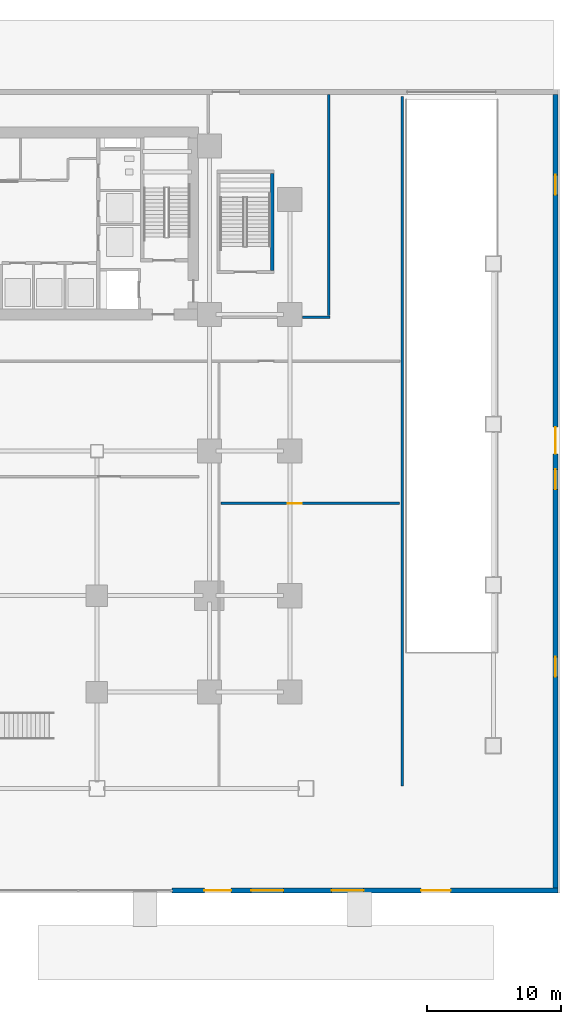
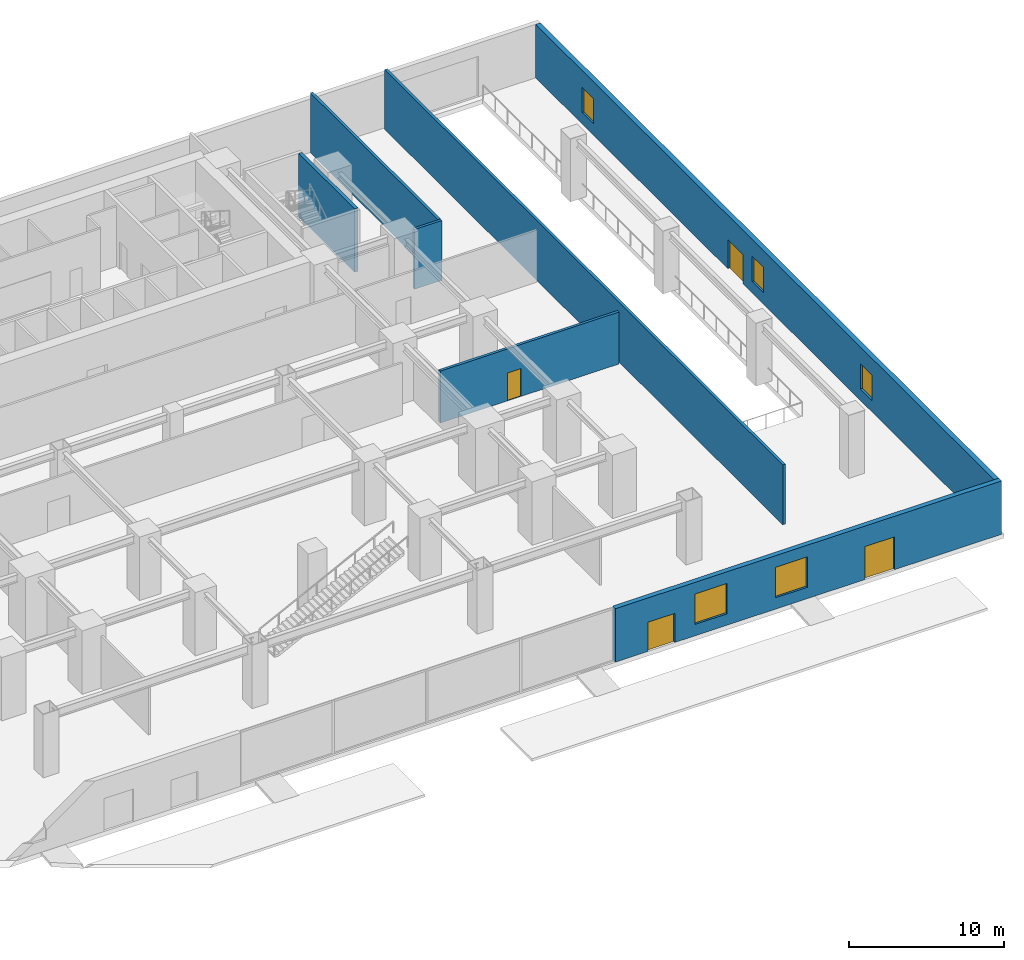
# One storey, part 11 of 18: 7 walls, 5 windows, 4 doors, 9 openings.
"""IFC4 building model written with IfcOpenShell, lengths in metres."""

from ifc_helpers import new_model, si_unit, direction, frame, frame_2d, origin, place, context, subcontext, project, spatial, rectangle, extrude, source, transform, mapped, material, layer, layer_set, type_object, element, fill, save


model = new_model("IFC4")

# Units and contexts
model_context = context("Model", 3, precision=1e-05, world=origin(), true_north=direction((0.0, 1.0)))
body_context = subcontext(model_context, "Body", "Model", "MODEL_VIEW")
ifc_project = project(units=[si_unit("LENGTHUNIT", "METRE"), si_unit("AREAUNIT", "SQUARE_METRE"), si_unit("VOLUMEUNIT", "CUBIC_METRE"), si_unit("PLANEANGLEUNIT", "RADIAN"), si_unit("MASSUNIT", "GRAM", prefix="KILO")], contexts=[model_context])

# Site, building, storey
site_placement = place(None, origin())
site = spatial("IfcSite", under=ifc_project, at=site_placement, CompositionType="ELEMENT")
building_placement = place(site_placement, origin())
building = spatial("IfcBuilding", under=site, at=building_placement, Name="Sumidabori Civic Tower", CompositionType="ELEMENT")
storey_placement = place(building_placement, origin())
storey = spatial("IfcBuildingStorey", under=building, at=storey_placement, Name="L00", CompositionType="ELEMENT", Elevation=0.0)

# Wall
ifc_material_1 = material(Name="Concrete C50/60", Category="concrete")
ifc_layer_1 = layer(ifc_material_1, 0.25, Name="Concrete C50/60")
ifc_layer_set_1 = layer_set([ifc_layer_1], Name="Concrete C50/60")
wall_type_1 = type_object("IfcWallType", Name="WL-SHAFT-250", PredefinedType="SHEAR", material=ifc_layer_set_1)
shared_shape_1 = source(origin(), body_context, "Body", "SweptSolid", [
    extrude(rectangle(XDim=7.230224609375, YDim=0.25, at=frame_2d((3.615234375, 0.0))), origin(), (0.0, 0.0, 1.0), 5.0),
])
wall_1_placement = place(storey_placement, frame((21.485107421875, 13.5048828125, 0.0), z_axis=(0.0, 0.0, 1.0), x_axis=(0.0, 1.0, 0.0)))
element("IfcWall", 1, at=wall_1_placement, inside=storey, type_object=wall_type_1, Name="Core Shear Wall L00 ST4-E", PredefinedType="SHEAR", context=body_context, shape_type="MappedRepresentation", body=[
    mapped(shared_shape_1, transform((0.0, 0.0, 0.0), x_axis=(1.0, 0.0, 0.0), y_axis=(0.0, 1.0, 0.0), z_axis=(0.0, 0.0, 1.0), scale=1.0)),
])

# Wall, openings, doors, windows
ifc_material_2 = material(Name="Precast concrete C40/50", Category="concrete")
ifc_layer_2 = layer(ifc_material_2, 0.360107421875, Name="Precast concrete C40/50")
ifc_layer_set_2 = layer_set([ifc_layer_2], Name="Precast concrete C40/50")
wall_type_2 = type_object("IfcWallType", Name="WL-EXT-POD360", PredefinedType="STANDARD", material=ifc_layer_set_2)
shared_shape_2 = source(origin(), body_context, "Body", "SweptSolid", [
    extrude(rectangle(XDim=28.820068359375, YDim=0.360107421875, at=frame_2d((14.41015625, 0.0))), origin(), (0.0, 0.0, 1.0), 4.219970703125),
])
wall_2_placement = place(storey_placement, frame((42.820068359375, -32.820068359375, 0.0), z_axis=(0.0, 0.0, 1.0), x_axis=(-1.0, 0.0, 0.0)))
wall_2 = element("IfcWall", 2, at=wall_2_placement, inside=storey, type_object=wall_type_2, Name="Podium South-East Precast Wall", PredefinedType="STANDARD", context=body_context, shape_type="MappedRepresentation", body=[
    mapped(shared_shape_2, transform((0.0, 0.0, 0.0), x_axis=(1.0, 0.0, 0.0), y_axis=(0.0, 1.0, 0.0), z_axis=(0.0, 0.0, 1.0), scale=1.0)),
])
opening_1_placement = place(wall_2_placement, frame((8.0, 0.0, 0.0)))
opening_1 = element("IfcOpeningElement", 3, at=opening_1_placement, cuts=wall_2, Name="Opening EX-1", PredefinedType="OPENING", context=body_context, shape_type="SweptSolid", body=[
    extrude(rectangle(XDim=2.199951171875, YDim=2.60009765625, at=frame_2d((1.10009765625, 1.300048828125))), frame((0.0, 0.19189453125, 0.0), z_axis=(0.0, -1.0, 0.0), x_axis=(1.0, 0.0, 0.0)), (0.0, 0.0, 1.0), 0.384033203125),
])
opening_2_placement = place(wall_2_placement, frame((24.39990234375, 0.0, 0.0)))
opening_2 = element("IfcOpeningElement", 4, at=opening_2_placement, cuts=wall_2, Name="Opening EX-2", PredefinedType="OPENING", context=body_context, shape_type="SweptSolid", body=[
    extrude(rectangle(XDim=2.0, YDim=2.300048828125, at=frame_2d((1.0, 1.14990234375))), frame((0.0, 0.19189453125, 0.0), z_axis=(0.0, -1.0, 0.0), x_axis=(1.0, 0.0, 0.0)), (0.0, 0.0, 1.0), 0.384033203125),
])
opening_3_placement = place(wall_2_placement, frame((14.5, 0.0, 0.89990234375)))
opening_3 = element("IfcOpeningElement", 5, at=opening_3_placement, cuts=wall_2, Name="Opening WN-1", PredefinedType="OPENING", context=body_context, shape_type="SweptSolid", body=[
    extrude(rectangle(XDim=2.39990234375, YDim=2.39990234375, at=frame_2d((1.199951171875, 1.199951171875))), frame((0.0, 0.19189453125, 0.0), z_axis=(0.0, -1.0, 0.0), x_axis=(1.0, 0.0, 0.0)), (0.0, 0.0, 1.0), 0.384033203125),
])
opening_4_placement = place(wall_2_placement, frame((20.5, 0.0, 0.89990234375)))
opening_4 = element("IfcOpeningElement", 6, at=opening_4_placement, cuts=wall_2, Name="Opening WN-1", PredefinedType="OPENING", context=body_context, shape_type="SweptSolid", body=[
    extrude(rectangle(XDim=2.39990234375, YDim=2.39990234375, at=frame_2d((1.199951171875, 1.199951171875))), frame((0.0, 0.19189453125, 0.0), z_axis=(0.0, -1.0, 0.0), x_axis=(1.0, 0.0, 0.0)), (0.0, 0.0, 1.0), 0.384033203125),
])
ifc_material_3 = material(Name="Anodised Bronze Aluminium AW-6063-T6", Category="aluminium")
door_type_1 = type_object("IfcDoorType", Name="DR-EXT-MAIN", OperationType="DOUBLE_DOOR_SINGLE_SWING", PredefinedType="DOOR", material=ifc_material_3)
shared_shape_3 = source(origin(), body_context, "Body", "SweptSolid", [
    extrude(rectangle(XDim=2.199951171875, YDim=2.60009765625, at=frame_2d((1.10009765625, 1.300048828125))), frame((0.0, 0.02490234375, 0.0), z_axis=(0.0, -1.0, 0.0), x_axis=(1.0, 0.0, 0.0)), (0.0, 0.0, 1.0), 0.050048828125),
])
door_1_placement = place(opening_1_placement, origin())
door_1 = element("IfcDoor", 7, at=door_1_placement, inside=storey, type_object=door_type_1, Name="Main Entrance East EX-1", OperationType="DOUBLE_DOOR_SINGLE_SWING", OverallHeight=2.60009765625, OverallWidth=2.199951171875, PredefinedType="DOOR", context=body_context, shape_type="MappedRepresentation", body=[
    mapped(shared_shape_3, transform((0.0, 0.0, 0.0), x_axis=(1.0, 0.0, 0.0), y_axis=(0.0, 1.0, 0.0), z_axis=(0.0, 0.0, 1.0), scale=1.0)),
])
fill(opening_1, door_1)
door_type_2 = type_object("IfcDoorType", Name="DR-EXT-EXIT", OperationType="DOUBLE_DOOR_SINGLE_SWING", PredefinedType="DOOR", material=ifc_material_3)
shared_shape_4 = source(origin(), body_context, "Body", "SweptSolid", [
    extrude(rectangle(XDim=2.0, YDim=2.300048828125, at=frame_2d((1.0, 1.14990234375))), frame((0.0, 0.02490234375, 0.0), z_axis=(0.0, -1.0, 0.0), x_axis=(1.0, 0.0, 0.0)), (0.0, 0.0, 1.0), 0.050048828125),
])
door_2_placement = place(opening_2_placement, origin())
door_2 = element("IfcDoor", 8, at=door_2_placement, inside=storey, type_object=door_type_2, Name="Civic Forecourt Exit East EX-2", OperationType="DOUBLE_DOOR_SINGLE_SWING", OverallHeight=2.300048828125, OverallWidth=2.0, PredefinedType="DOOR", context=body_context, shape_type="MappedRepresentation", body=[
    mapped(shared_shape_4, transform((0.0, 0.0, 0.0), x_axis=(1.0, 0.0, 0.0), y_axis=(0.0, 1.0, 0.0), z_axis=(0.0, 0.0, 1.0), scale=1.0)),
])
fill(opening_2, door_2)
ifc_material_4 = material(Name="Low-E Vision Double Glazing", Category="glass")
window_type_1 = type_object("IfcWindowType", Name="WN-POD-2400", PartitioningType="SINGLE_PANEL", PredefinedType="WINDOW", material=ifc_material_4)
shared_shape_5 = source(origin(), body_context, "Body", "SweptSolid", [
    extrude(rectangle(XDim=2.39990234375, YDim=2.39990234375, at=frame_2d((1.199951171875, 1.199951171875))), frame((0.0, 0.030029296875, 0.0), z_axis=(0.0, -1.0, 0.0), x_axis=(1.0, 0.0, 0.0)), (0.0, 0.0, 1.0), 0.06005859375),
])
window_1_placement = place(opening_3_placement, origin())
window_1 = element("IfcWindow", 9, at=window_1_placement, inside=storey, type_object=window_type_1, Name="Podium Window L00-SE1", OverallHeight=2.39990234375, OverallWidth=2.39990234375, PartitioningType="SINGLE_PANEL", PredefinedType="WINDOW", context=body_context, shape_type="MappedRepresentation", body=[
    mapped(shared_shape_5, transform((0.0, 0.0, 0.0), x_axis=(1.0, 0.0, 0.0), y_axis=(0.0, 1.0, 0.0), z_axis=(0.0, 0.0, 1.0), scale=1.0)),
])
fill(opening_3, window_1)
window_2_placement = place(opening_4_placement, origin())
window_2 = element("IfcWindow", 10, at=window_2_placement, inside=storey, type_object=window_type_1, Name="Podium Window L00-SE2", OverallHeight=2.39990234375, OverallWidth=2.39990234375, PartitioningType="SINGLE_PANEL", PredefinedType="WINDOW", context=body_context, shape_type="MappedRepresentation", body=[
    mapped(shared_shape_5, transform((0.0, 0.0, 0.0), x_axis=(1.0, 0.0, 0.0), y_axis=(0.0, 1.0, 0.0), z_axis=(0.0, 0.0, 1.0), scale=1.0)),
])
fill(opening_4, window_2)

# Wall, openings, door, windows
shared_shape_6 = source(origin(), body_context, "Body", "SweptSolid", [
    extrude(rectangle(XDim=59.27978515625, YDim=0.360107421875, at=frame_2d((29.639892578125, 0.0))), origin(), (0.0, 0.0, 1.0), 4.219970703125),
])
wall_3_placement = place(storey_placement, frame((42.639892578125, 26.639892578125, 0.0), z_axis=(0.0, 0.0, 1.0), x_axis=(0.0, -1.0, 0.0)))
wall_3 = element("IfcWall", 11, at=wall_3_placement, inside=storey, type_object=wall_type_2, Name="Podium East Precast Wall", PredefinedType="STANDARD", context=body_context, shape_type="MappedRepresentation", body=[
    mapped(shared_shape_6, transform((0.0, 0.0, 0.0), x_axis=(1.0, 0.0, 0.0), y_axis=(0.0, 1.0, 0.0), z_axis=(0.0, 0.0, 1.0), scale=1.0)),
])
opening_5_placement = place(wall_3_placement, frame((24.85009765625, 0.0, 0.0)))
opening_5 = element("IfcOpeningElement", 12, at=opening_5_placement, cuts=wall_3, Name="Opening EX-2", PredefinedType="OPENING", context=body_context, shape_type="SweptSolid", body=[
    extrude(rectangle(XDim=2.0, YDim=2.300048828125, at=frame_2d((1.0, 1.14990234375))), frame((0.0, 0.19189453125, 0.0), z_axis=(0.0, -1.0, 0.0), x_axis=(1.0, 0.0, 0.0)), (0.0, 0.0, 1.0), 0.384033203125),
])
opening_6_placement = place(wall_3_placement, frame((6.0, 0.0, 0.89990234375)))
opening_6 = element("IfcOpeningElement", 13, at=opening_6_placement, cuts=wall_3, Name="Opening WN-3", PredefinedType="OPENING", context=body_context, shape_type="SweptSolid", body=[
    extrude(rectangle(XDim=1.5, YDim=2.0, at=frame_2d((0.75, 1.0))), frame((0.0, 0.19189453125, 0.0), z_axis=(0.0, -1.0, 0.0), x_axis=(1.0, 0.0, 0.0)), (0.0, 0.0, 1.0), 0.384033203125),
])
opening_7_placement = place(wall_3_placement, frame((28.0, 0.0, 0.89990234375)))
opening_7 = element("IfcOpeningElement", 14, at=opening_7_placement, cuts=wall_3, Name="Opening WN-3", PredefinedType="OPENING", context=body_context, shape_type="SweptSolid", body=[
    extrude(rectangle(XDim=1.5, YDim=2.0, at=frame_2d((0.75, 1.0))), frame((0.0, 0.19189453125, 0.0), z_axis=(0.0, -1.0, 0.0), x_axis=(1.0, 0.0, 0.0)), (0.0, 0.0, 1.0), 0.384033203125),
])
opening_8_placement = place(wall_3_placement, frame((42.0, 0.0, 0.89990234375)))
opening_8 = element("IfcOpeningElement", 15, at=opening_8_placement, cuts=wall_3, Name="Opening WN-3", PredefinedType="OPENING", context=body_context, shape_type="SweptSolid", body=[
    extrude(rectangle(XDim=1.5, YDim=2.0, at=frame_2d((0.75, 1.0))), frame((0.0, 0.19189453125, 0.0), z_axis=(0.0, -1.0, 0.0), x_axis=(1.0, 0.0, 0.0)), (0.0, 0.0, 1.0), 0.384033203125),
])
door_3_placement = place(opening_5_placement, origin())
door_3 = element("IfcDoor", 16, at=door_3_placement, inside=storey, type_object=door_type_2, Name="Fire Command Room Pedestrian Entrance EX-2", OperationType="DOUBLE_DOOR_SINGLE_SWING", OverallHeight=2.300048828125, OverallWidth=2.0, PredefinedType="DOOR", context=body_context, shape_type="MappedRepresentation", body=[
    mapped(shared_shape_4, transform((0.0, 0.0, 0.0), x_axis=(1.0, 0.0, 0.0), y_axis=(0.0, 1.0, 0.0), z_axis=(0.0, 0.0, 1.0), scale=1.0)),
])
fill(opening_5, door_3)
window_type_2 = type_object("IfcWindowType", Name="WN-POD-1500", PartitioningType="SINGLE_PANEL", PredefinedType="WINDOW", material=ifc_material_4)
shared_shape_7 = source(origin(), body_context, "Body", "SweptSolid", [
    extrude(rectangle(XDim=1.5, YDim=2.0, at=frame_2d((0.75, 1.0))), frame((0.0, 0.030029296875, 0.0), z_axis=(0.0, -1.0, 0.0), x_axis=(1.0, 0.0, 0.0)), (0.0, 0.0, 1.0), 0.06005859375),
])
window_3_placement = place(opening_6_placement, origin())
window_3 = element("IfcWindow", 17, at=window_3_placement, inside=storey, type_object=window_type_2, Name="Podium Window L00-E1", OverallHeight=2.0, OverallWidth=1.5, PartitioningType="SINGLE_PANEL", PredefinedType="WINDOW", context=body_context, shape_type="MappedRepresentation", body=[
    mapped(shared_shape_7, transform((0.0, 0.0, 0.0), x_axis=(1.0, 0.0, 0.0), y_axis=(0.0, 1.0, 0.0), z_axis=(0.0, 0.0, 1.0), scale=1.0)),
])
fill(opening_6, window_3)
window_4_placement = place(opening_7_placement, origin())
window_4 = element("IfcWindow", 18, at=window_4_placement, inside=storey, type_object=window_type_2, Name="Podium Window L00-E2", OverallHeight=2.0, OverallWidth=1.5, PartitioningType="SINGLE_PANEL", PredefinedType="WINDOW", context=body_context, shape_type="MappedRepresentation", body=[
    mapped(shared_shape_7, transform((0.0, 0.0, 0.0), x_axis=(1.0, 0.0, 0.0), y_axis=(0.0, 1.0, 0.0), z_axis=(0.0, 0.0, 1.0), scale=1.0)),
])
fill(opening_7, window_4)
window_5_placement = place(opening_8_placement, origin())
window_5 = element("IfcWindow", 19, at=window_5_placement, inside=storey, type_object=window_type_2, Name="Podium Window L00-E3", OverallHeight=2.0, OverallWidth=1.5, PartitioningType="SINGLE_PANEL", PredefinedType="WINDOW", context=body_context, shape_type="MappedRepresentation", body=[
    mapped(shared_shape_7, transform((0.0, 0.0, 0.0), x_axis=(1.0, 0.0, 0.0), y_axis=(0.0, 1.0, 0.0), z_axis=(0.0, 0.0, 1.0), scale=1.0)),
])
fill(opening_8, window_5)

# Wall, opening, door
ifc_material_5 = material(Name="Gypsum Plasterboard Fire Partition")
ifc_layer_3 = layer(ifc_material_5, 0.199951171875, Name="Gypsum Plasterboard Fire Partition")
ifc_layer_set_3 = layer_set([ifc_layer_3], Name="Gypsum Plasterboard Fire Partition")
wall_type_3 = type_object("IfcWallType", Name="WL-PART-FIRE", PredefinedType="PARTITIONING", material=ifc_layer_set_3)
shared_shape_8 = source(origin(), body_context, "Body", "SweptSolid", [
    extrude(rectangle(XDim=13.35009765625, YDim=0.199951171875, at=frame_2d((6.675048828125, 0.0))), origin(), (0.0, 0.0, 1.0), 4.10498046875),
])
wall_4_placement = place(storey_placement, frame((17.64990234375, -3.89990234375, 0.0), z_axis=(0.0, 0.0, 1.0), x_axis=(1.0, 0.0, 0.0)))
wall_4 = element("IfcWall", 20, at=wall_4_placement, inside=storey, type_object=wall_type_3, Name="Interior Partition WL:L00:FCC-S", PredefinedType="PARTITIONING", context=body_context, shape_type="MappedRepresentation", body=[
    mapped(shared_shape_8, transform((0.0, 0.0, 0.0), x_axis=(1.0, 0.0, 0.0), y_axis=(0.0, 1.0, 0.0), z_axis=(0.0, 0.0, 1.0), scale=1.0)),
])
opening_9_placement = place(wall_4_placement, frame((5.0, 0.0, 0.0)))
opening_9 = element("IfcOpeningElement", 21, at=opening_9_placement, cuts=wall_4, Name="Opening DR-4", PredefinedType="OPENING", context=body_context, shape_type="SweptSolid", body=[
    extrude(rectangle(XDim=1.0400390625, YDim=2.199951171875, at=frame_2d((0.52001953125, 1.10009765625))), frame((0.0, 0.11181640625, 0.0), z_axis=(0.0, -1.0, 0.0), x_axis=(1.0, 0.0, 0.0)), (0.0, 0.0, 1.0), 0.223876953125),
])
ifc_material_6 = material(Name="Japanese Hinoki Timber", Category="wood")
door_type_3 = type_object("IfcDoorType", Name="DR-INT-1040", OperationType="NOTDEFINED", PredefinedType="DOOR", material=ifc_material_6)
shared_shape_9 = source(origin(), body_context, "Body", "SweptSolid", [
    extrude(rectangle(XDim=1.0400390625, YDim=2.199951171875, at=frame_2d((0.52001953125, 1.10009765625))), frame((0.0, 0.02490234375, 0.0), z_axis=(0.0, -1.0, 0.0), x_axis=(1.0, 0.0, 0.0)), (0.0, 0.0, 1.0), 0.050048828125),
])
door_4_placement = place(opening_9_placement, origin())
door_4 = element("IfcDoor", 22, at=door_4_placement, inside=storey, type_object=door_type_3, Name="Door DR:L00:CAFE1", OperationType="SINGLE_SWING_LEFT", OverallHeight=2.199951171875, OverallWidth=1.0400390625, PredefinedType="DOOR", context=body_context, shape_type="MappedRepresentation", body=[
    mapped(shared_shape_9, transform((0.0, 0.0, 0.0), x_axis=(1.0, 0.0, 0.0), y_axis=(0.0, 1.0, 0.0), z_axis=(0.0, 0.0, 1.0), scale=1.0)),
])
fill(opening_9, door_4)

# Walls
shared_shape_10 = source(origin(), body_context, "Body", "SweptSolid", [
    extrude(rectangle(XDim=51.5, YDim=0.199951171875, at=frame_2d((25.75, 0.0))), origin(), (0.0, 0.0, 1.0), 4.719970703125),
])
wall_5_placement = place(storey_placement, frame((31.199951171875, -25.0, 0.0), z_axis=(0.0, 0.0, 1.0), x_axis=(0.0, 1.0, 0.0)))
element("IfcWall", 23, at=wall_5_placement, inside=storey, type_object=wall_type_3, Name="Interior Partition WL:L00:RAMP-W", PredefinedType="PARTITIONING", context=body_context, shape_type="MappedRepresentation", body=[
    mapped(shared_shape_10, transform((0.0, 0.0, 0.0), x_axis=(1.0, 0.0, 0.0), y_axis=(0.0, 1.0, 0.0), z_axis=(0.0, 0.0, 1.0), scale=1.0)),
])
shared_shape_11 = source(origin(), body_context, "Body", "SweptSolid", [
    extrude(rectangle(XDim=16.5, YDim=0.199951171875, at=frame_2d((8.25, 0.0))), origin(), (0.0, 0.0, 1.0), 4.719970703125),
])
wall_6_placement = place(storey_placement, frame((25.719970703125, 10.1201171875, 0.0), z_axis=(0.0, 0.0, 1.0), x_axis=(0.0, 1.0, 0.0)))
element("IfcWall", 24, at=wall_6_placement, inside=storey, type_object=wall_type_3, Name="Interior Partition WL:L00:EXP-EE", PredefinedType="PARTITIONING", context=body_context, shape_type="MappedRepresentation", body=[
    mapped(shared_shape_11, transform((0.0, 0.0, 0.0), x_axis=(1.0, 0.0, 0.0), y_axis=(0.0, 1.0, 0.0), z_axis=(0.0, 0.0, 1.0), scale=1.0)),
])
shared_shape_12 = source(origin(), body_context, "Body", "SweptSolid", [
    extrude(rectangle(XDim=2.050048828125, YDim=0.199951171875, at=frame_2d((1.02490234375, 0.0))), origin(), (0.0, 0.0, 1.0), 4.719970703125),
])
wall_7_placement = place(storey_placement, frame((23.75, 10.0, 0.0), z_axis=(0.0, 0.0, 1.0), x_axis=(1.0, 0.0, 0.0)))
element("IfcWall", 25, at=wall_7_placement, inside=storey, type_object=wall_type_3, Name="Interior Partition WL:L00:EXP-ES2", PredefinedType="PARTITIONING", context=body_context, shape_type="MappedRepresentation", body=[
    mapped(shared_shape_12, transform((0.0, 0.0, 0.0), x_axis=(1.0, 0.0, 0.0), y_axis=(0.0, 1.0, 0.0), z_axis=(0.0, 0.0, 1.0), scale=1.0)),
])

save(model, "model.ifc")
